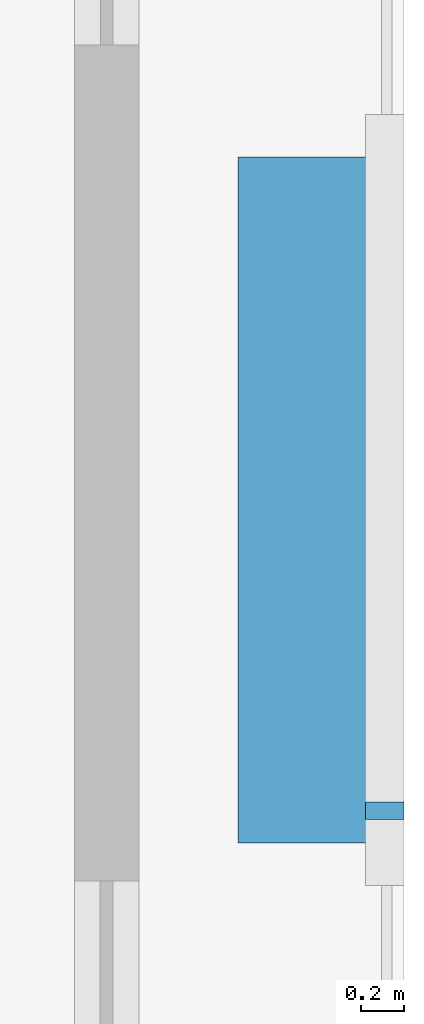
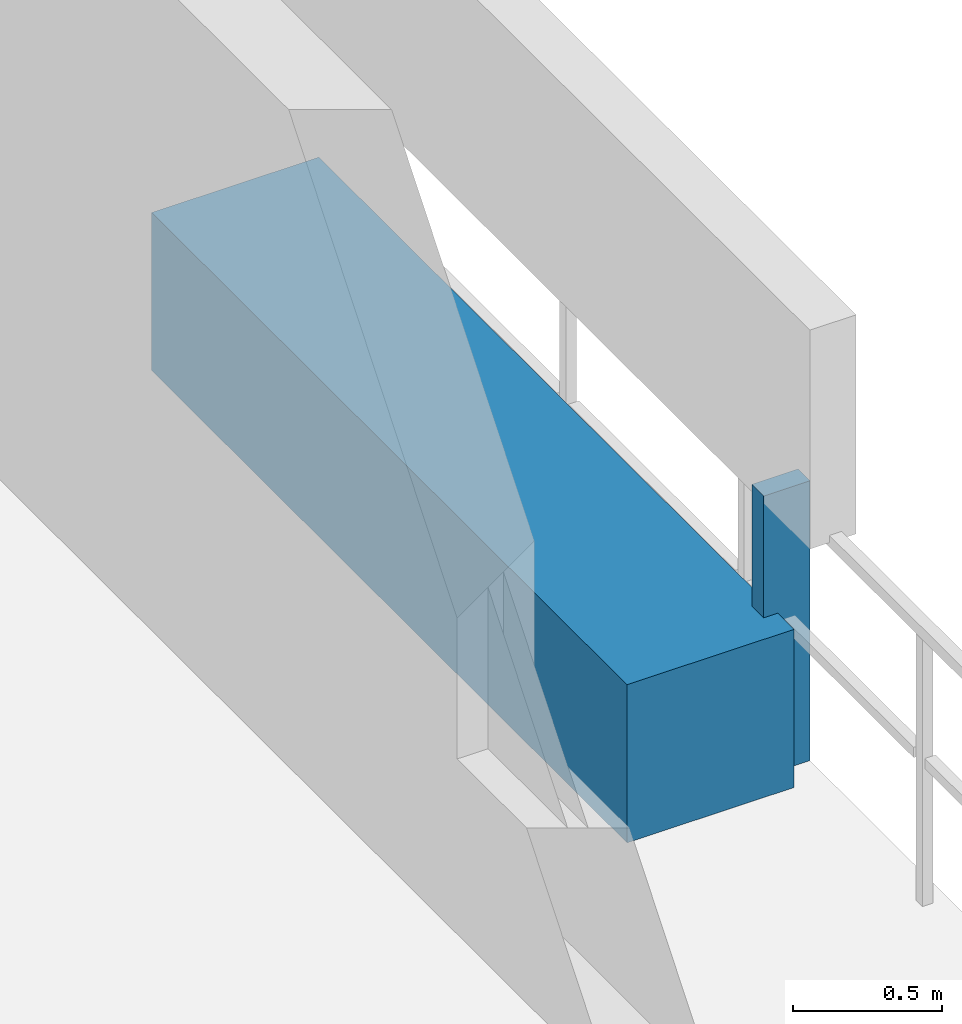
# One storey, part 30 of 34: 2 discrete accessories.
"""IFC4 building model written with IfcOpenShell, lengths in metres."""

from ifc_helpers import new_model, si_unit, direction, frame, origin, origin_2d, place, context, subcontext, project, spatial, rectangle, extrude, material, type_object, element, save


model = new_model("IFC4")

# Units and contexts
model_context = context("Model", 3, precision=1e-05, world=origin(), true_north=direction((0.0, 1.0)))
body_context = subcontext(model_context, "Body", "Model", "MODEL_VIEW")
ifc_project = project(units=[si_unit("LENGTHUNIT", "METRE"), si_unit("AREAUNIT", "SQUARE_METRE"), si_unit("VOLUMEUNIT", "CUBIC_METRE"), si_unit("PLANEANGLEUNIT", "RADIAN"), si_unit("MASSUNIT", "GRAM", prefix="KILO")], contexts=[model_context])

# Site, building, storey
site_placement = place(None, origin())
site = spatial("IfcSite", under=ifc_project, at=site_placement, CompositionType="ELEMENT")
building_placement = place(site_placement, origin())
building = spatial("IfcBuilding", under=site, at=building_placement, Name="Thornwick Lancets Civic Towers", CompositionType="ELEMENT")
storey_placement = place(building_placement, frame((0.0, 0.0, 261.89990234375)))
storey = spatial("IfcBuildingStorey", under=building, at=storey_placement, Name="L70", CompositionType="ELEMENT", Elevation=261.89990234375)

# Discrete accessories
ifc_material_1 = material(Name="Planted terracotta greenery planter", Category="masonry")
discrete_accessory_type_1 = type_object("IfcDiscreteAccessoryType", Name="ACC_PLANTER_BOX", PredefinedType="USERDEFINED", material=ifc_material_1)
discrete_accessory_1_placement = place(storey_placement, frame((113.199951171875, 27.0, 0.000244140625), z_axis=(0.0, 0.0, 1.0), x_axis=(1.0, 0.0, 0.0)))
element("IfcDiscreteAccessory", 1, at=discrete_accessory_1_placement, inside=storey, type_object=discrete_accessory_type_1, Name="L70 Tower B Balcony Greenery Planter E", ObjectType="PLANTER", PredefinedType="USERDEFINED", context=body_context, shape_type="SweptSolid", body=[
    extrude(rectangle(XDim=0.64990234375, YDim=3.199951171875, at=origin_2d()), origin(), (0.0, 0.0, 1.0), 0.64990234375),
])
ifc_material_2 = material(Name="Stainless steel S355", Category="steel")
discrete_accessory_type_2 = type_object("IfcDiscreteAccessoryType", Name="ACC_SCREEN_BRACKET", PredefinedType="BRACKET", material=ifc_material_2)
discrete_accessory_2_placement = place(storey_placement, frame((113.56005859375, 25.550048828125, 0.000244140625), z_axis=(0.0, 0.0, 1.0), x_axis=(0.0, 1.0, 0.0)))
element("IfcDiscreteAccessory", 2, at=discrete_accessory_2_placement, inside=storey, type_object=discrete_accessory_type_2, Name="L70 Tower B Balcony Screen Stanchion Bracket E-1", PredefinedType="BRACKET", context=body_context, shape_type="SweptSolid", body=[
    extrude(rectangle(XDim=0.080078125, YDim=0.179931640625, at=origin_2d()), origin(), (0.0, 0.0, 1.0), 1.14990234375),
])

save(model, "model.ifc")
